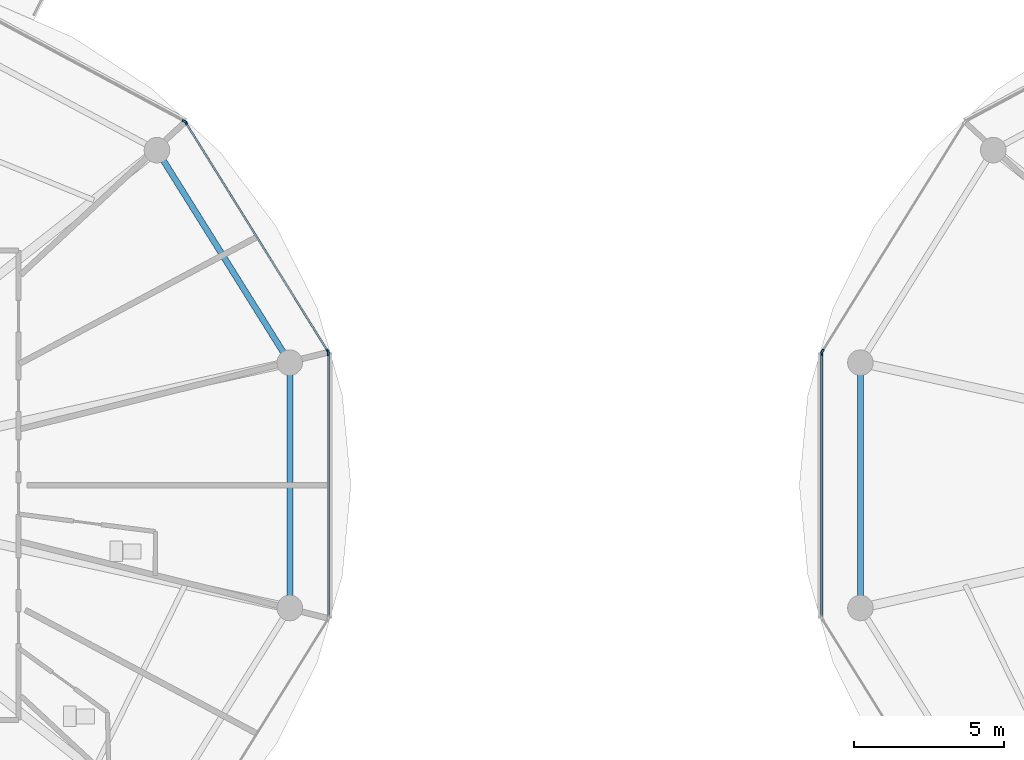
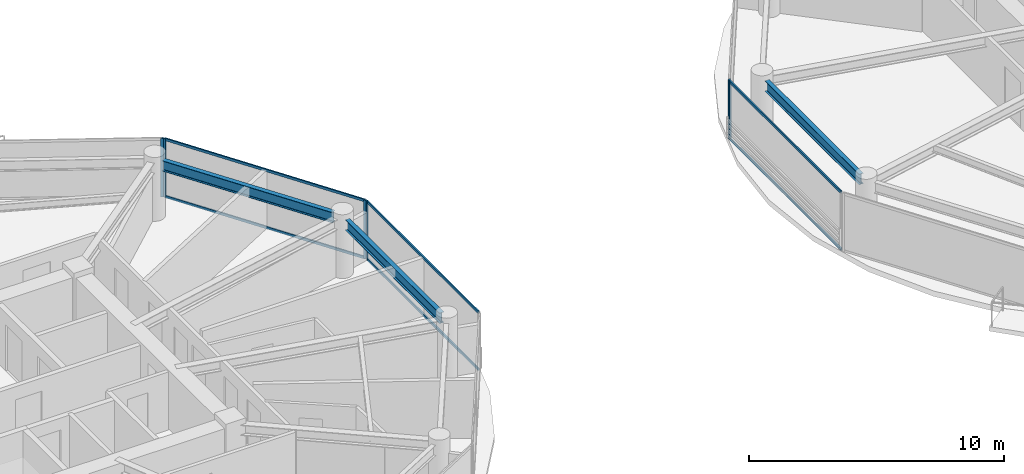
# One storey, part 7 of 25: 12 members, 3 beams, 5 elements without a shape of their own.
"""IFC4 building model written with IfcOpenShell, lengths in metres."""

from ifc_helpers import new_model, si_unit, direction, frame, origin, origin_2d, place, context, subcontext, project, spatial, rectangle, i_section, extrude, source, transform, mapped, material, layer, layer_set, material_profile, profile_set, type_object, type_shapes, element, aggregate, save


model = new_model("IFC4")

# Units and contexts
model_context = context("Model", 3, precision=1e-05, world=origin(), true_north=direction((0.0, 1.0)))
body_context = subcontext(model_context, "Body", "Model", "MODEL_VIEW")
ifc_project = project(units=[si_unit("LENGTHUNIT", "METRE"), si_unit("AREAUNIT", "SQUARE_METRE"), si_unit("VOLUMEUNIT", "CUBIC_METRE"), si_unit("PLANEANGLEUNIT", "RADIAN"), si_unit("MASSUNIT", "GRAM", prefix="KILO")], contexts=[model_context])

# Site, building, storey
site_placement = place(None, origin())
site = spatial("IfcSite", under=ifc_project, at=site_placement, CompositionType="ELEMENT")
building_placement = place(site_placement, origin())
building = spatial("IfcBuilding", under=site, at=building_placement, Name="Norrkilde Senior Care Towers", CompositionType="ELEMENT")
storey_placement = place(building_placement, frame((0.0, 0.0, 84.050048828125)))
storey = spatial("IfcBuildingStorey", under=building, at=storey_placement, Name="L25", CompositionType="ELEMENT", Elevation=84.050048828125)

# Beams
ifc_material_1 = material(Name="Steel S355", Category="steel")
ifc_material_profile_1 = material_profile(ifc_material_1, i_section(OverallWidth=0.199951171875, OverallDepth=0.5, WebThickness=0.01025390625, FlangeThickness=0.01611328125, FilletRadius=0.02099609375, at=origin_2d()), Name="IPE 500")
ifc_profile_set_1 = profile_set([ifc_material_profile_1], Name="Steel S355")
beam_type = type_object("IfcBeamType", Name="Perimeter Ring Spandrel Z2 IPE500", PredefinedType="SPANDREL", material=ifc_profile_set_1)
shared_shape_1 = source(origin(), body_context, "Body", "SweptSolid", [
    extrude(i_section(OverallWidth=0.199951171875, OverallDepth=0.5, WebThickness=0.01025390625, FlangeThickness=0.01611328125, FilletRadius=0.02099609375, at=origin_2d()), origin(), (0.0, 0.0, 1.0), 7.55615234375),
])
beam_placement = place(storey_placement, frame((-9.68505859375, 4.40283203125, 2.5400390625), z_axis=(-0.529981514254, 0.848009194849, 0.0), x_axis=(-0.848009194849, -0.529981514254, 0.0)))
element("IfcBeam", 1, at=beam_placement, inside=storey, type_object=beam_type, Name="L25 Drum W Perimeter Spandrel 01", PredefinedType="SPANDREL", context=body_context, shape_type="MappedRepresentation", body=[
    mapped(shared_shape_1, transform((0.0, 0.0, 0.0), x_axis=(1.0, 0.0, 0.0), y_axis=(0.0, 1.0, 0.0), z_axis=(0.0, 0.0, 1.0), scale=1.0)),
])
shared_shape_2 = source(origin(), body_context, "Body", "SweptSolid", [
    extrude(i_section(OverallWidth=0.199951171875, OverallDepth=0.5, WebThickness=0.01025390625, FlangeThickness=0.01611328125, FilletRadius=0.02099609375, at=origin_2d()), origin(), (0.0, 0.0, 1.0), 7.3828125),
])
type_shapes(beam_type, [shared_shape_1, shared_shape_2])
for number, where, z_axis, x_axis, name in (
    (2, (-9.48095703125, -3.69140625, 2.5400390625), (0.0, 1.0, 0.0), (-1.0, 0.0, 0.0), "L25 Drum W Perimeter Spandrel 12"),
    (3, (9.48095703125, 3.69140625, 2.5400390625), (0.0, -1.0, 0.0), (1.0, 0.0, 0.0), "L25 Drum E Perimeter Spandrel 06"),
):
    element("IfcBeam", number, at=place(storey_placement, frame(where, z_axis=z_axis, x_axis=x_axis)), inside=storey, type_object=beam_type, Name=name, PredefinedType="SPANDREL", context=body_context, shape_type="MappedRepresentation", body=[
        mapped(shared_shape_2, transform((0.0, 0.0, 0.0), x_axis=(1.0, 0.0, 0.0), y_axis=(0.0, 1.0, 0.0), z_axis=(0.0, 0.0, 1.0), scale=1.0)),
    ])

# Curtain wall, members
ifc_material_2 = material(Name="Triple Low-E Insulated Glazing", Category="glass")
ifc_layer = layer(ifc_material_2, 0.195068359375)
ifc_layer_set = layer_set([ifc_layer], Name="Triple Low-E Insulated Glazing")
curtain_wall_type = type_object("IfcCurtainWallType", Name="CW3 Zone 2 Assisted Living Curtain Wall", PredefinedType="NOTDEFINED", material=ifc_layer_set)
curtain_wall_1_placement = place(storey_placement, origin())
curtain_wall_1 = element("IfcCurtainWall", 4, at=curtain_wall_1_placement, inside=storey, type_object=curtain_wall_type, Name="L25 Drum W Curtain Wall 00", PredefinedType="NOTDEFINED")
ifc_material_3 = material(Name="Anodised Aluminium", Category="aluminium")
ifc_material_profile_2 = material_profile(ifc_material_3, rectangle(XDim=0.06494140625, YDim=0.159912109375, at=origin_2d()), Name="ALU MULL 65x160")
ifc_profile_set_2 = profile_set([ifc_material_profile_2], Name="Anodised Aluminium")
member_type_1 = type_object("IfcMemberType", Name="Curtain Wall Mullion Z1-Z2 65x160", PredefinedType="MULLION", material=ifc_profile_set_2)
shared_shape_3 = source(origin(), body_context, "Body", "SweptSolid", [
    extrude(rectangle(XDim=0.06494140625, YDim=0.159912109375, at=origin_2d()), origin(), (0.0, 0.0, 1.0), 2.7900390625),
])
type_shapes(member_type_1, [shared_shape_3])
member_1_placement = place(storey_placement, frame((-12.936279296875, 12.0498046875, 0.0), z_axis=(0.0, 0.0, 1.0), x_axis=(0.849410171862, 0.527733228002, 0.0)))
member_1 = element("IfcMember", 5, at=member_1_placement, type_object=member_type_1, Name="CW-3 mullion 1", PredefinedType="MULLION", context=body_context, shape_type="MappedRepresentation", body=[
    mapped(shared_shape_3, transform((0.0, 0.0, 0.0), x_axis=(1.0, 0.0, 0.0), y_axis=(0.0, 1.0, 0.0), z_axis=(0.0, 0.0, 1.0), scale=1.0)),
])
member_2_placement = place(storey_placement, frame((-8.21337890625, 4.4482421875, 0.0), z_axis=(0.0, 0.0, 1.0), x_axis=(0.849410171862, 0.527733228002, 0.0)))
member_2 = element("IfcMember", 6, at=member_2_placement, type_object=member_type_1, Name="CW-3 mullion 2", PredefinedType="MULLION", context=body_context, shape_type="MappedRepresentation", body=[
    mapped(shared_shape_3, transform((0.0, 0.0, 0.0), x_axis=(1.0, 0.0, 0.0), y_axis=(0.0, 1.0, 0.0), z_axis=(0.0, 0.0, 1.0), scale=1.0)),
])

# Curtain wall, member
curtain_wall_2_placement = place(storey_placement, origin())
curtain_wall_2 = element("IfcCurtainWall", 7, at=curtain_wall_2_placement, inside=storey, type_object=curtain_wall_type, Name="L25 Drum W Curtain Wall 01", PredefinedType="NOTDEFINED")
member_3_placement = place(storey_placement, frame((-12.98193359375, 12.0927734375, 0.0), z_axis=(0.0, 0.0, 1.0), x_axis=(0.472769402511, 0.881186184668, 0.0)))
member_3 = element("IfcMember", 8, at=member_3_placement, type_object=member_type_1, Name="CW-3 mullion 2", PredefinedType="MULLION", context=body_context, shape_type="MappedRepresentation", body=[
    mapped(shared_shape_3, transform((0.0, 0.0, 0.0), x_axis=(1.0, 0.0, 0.0), y_axis=(0.0, 1.0, 0.0), z_axis=(0.0, 0.0, 1.0), scale=1.0)),
])
aggregate(curtain_wall_2, [member_3])

curtain_wall_3_placement = place(storey_placement, origin())
curtain_wall_3 = element("IfcCurtainWall", 9, at=curtain_wall_3_placement, inside=storey, type_object=curtain_wall_type, Name="L25 Drum W Curtain Wall 11", PredefinedType="NOTDEFINED")
member_4_placement = place(storey_placement, frame((-8.1962890625, 4.38818359375, 0.0), z_axis=(0.0, 0.0, 1.0), x_axis=(1.0, 0.0, 0.0)))
member_4 = element("IfcMember", 10, at=member_4_placement, type_object=member_type_1, Name="CW-3 mullion 1", PredefinedType="MULLION", context=body_context, shape_type="MappedRepresentation", body=[
    mapped(shared_shape_3, transform((0.0, 0.0, 0.0), x_axis=(1.0, 0.0, 0.0), y_axis=(0.0, 1.0, 0.0), z_axis=(0.0, 0.0, 1.0), scale=1.0)),
])

curtain_wall_4_placement = place(storey_placement, origin())
curtain_wall_4 = element("IfcCurtainWall", 11, at=curtain_wall_4_placement, inside=storey, type_object=curtain_wall_type, Name="L25 Drum E Curtain Wall 04", PredefinedType="NOTDEFINED")
member_5_placement = place(storey_placement, frame((8.21337890625, 4.4482421875, 0.0), z_axis=(0.0, 0.0, 1.0), x_axis=(-0.849410171862, 0.527733228002, 0.0)))
member_5 = element("IfcMember", 12, at=member_5_placement, type_object=member_type_1, Name="CW-3 mullion 1", PredefinedType="MULLION", context=body_context, shape_type="MappedRepresentation", body=[
    mapped(shared_shape_3, transform((0.0, 0.0, 0.0), x_axis=(1.0, 0.0, 0.0), y_axis=(0.0, 1.0, 0.0), z_axis=(0.0, 0.0, 1.0), scale=1.0)),
])
aggregate(curtain_wall_4, [member_5])

curtain_wall_5_placement = place(storey_placement, origin())
curtain_wall_5 = element("IfcCurtainWall", 13, at=curtain_wall_5_placement, inside=storey, type_object=curtain_wall_type, Name="L25 Drum E Curtain Wall 05", PredefinedType="NOTDEFINED")
member_6_placement = place(storey_placement, frame((8.1962890625, 4.38818359375, 0.0), z_axis=(0.0, 0.0, 1.0), x_axis=(-1.0, 0.0, 0.0)))
member_6 = element("IfcMember", 14, at=member_6_placement, type_object=member_type_1, Name="CW-3 mullion 2", PredefinedType="MULLION", context=body_context, shape_type="MappedRepresentation", body=[
    mapped(shared_shape_3, transform((0.0, 0.0, 0.0), x_axis=(1.0, 0.0, 0.0), y_axis=(0.0, 1.0, 0.0), z_axis=(0.0, 0.0, 1.0), scale=1.0)),
])

# Member
ifc_material_profile_3 = material_profile(ifc_material_3, rectangle(XDim=0.06005859375, YDim=0.1201171875, at=origin_2d()), Name="ALU TRAN 60x120")
ifc_profile_set_3 = profile_set([ifc_material_profile_3], Name="Anodised Aluminium")
member_type_2 = type_object("IfcMemberType", Name="Curtain Wall Transom Typical 60x120", PredefinedType="USERDEFINED", material=ifc_profile_set_3)
shared_shape_4 = source(origin(), body_context, "Body", "SweptSolid", [
    extrude(rectangle(XDim=0.06005859375, YDim=0.1201171875, at=origin_2d()), origin(), (0.0, 0.0, 1.0), 8.88427734375),
])
member_7_placement = place(storey_placement, frame((-12.919189453125, 12.022216796875, 0.030029296875), z_axis=(0.527749293309, -0.849400190377, 0.0), x_axis=(0.849400190377, 0.527749293309, 0.0)))
member_7 = element("IfcMember", 15, at=member_7_placement, type_object=member_type_2, Name="CW-3 transom 1.1", ObjectType="TRANSOM", PredefinedType="USERDEFINED", context=body_context, shape_type="MappedRepresentation", body=[
    mapped(shared_shape_4, transform((0.0, 0.0, 0.0), x_axis=(1.0, 0.0, 0.0), y_axis=(0.0, 1.0, 0.0), z_axis=(0.0, 0.0, 1.0), scale=1.0)),
])

member_8_placement = place(storey_placement, frame((-12.919189453125, 12.022216796875, 2.760009765625), z_axis=(0.527749293309, -0.849400190377, 0.0), x_axis=(0.849400190377, 0.527749293309, 0.0)))
member_8 = element("IfcMember", 16, at=member_8_placement, type_object=member_type_2, Name="CW-3 transom 1.2", ObjectType="TRANSOM", PredefinedType="USERDEFINED", context=body_context, shape_type="MappedRepresentation", body=[
    mapped(shared_shape_4, transform((0.0, 0.0, 0.0), x_axis=(1.0, 0.0, 0.0), y_axis=(0.0, 1.0, 0.0), z_axis=(0.0, 0.0, 1.0), scale=1.0)),
])

aggregate(curtain_wall_1, [member_1, member_2, member_7, member_8])

shared_shape_5 = source(origin(), body_context, "Body", "SweptSolid", [
    extrude(rectangle(XDim=0.06005859375, YDim=0.1201171875, at=origin_2d()), origin(), (0.0, 0.0, 1.0), 8.71142578125),
])
type_shapes(member_type_2, [shared_shape_4, shared_shape_5])
member_9_placement = place(storey_placement, frame((-8.1962890625, 4.355712890625, 0.030029296875), z_axis=(0.0, -1.0, 0.0), x_axis=(1.0, 0.0, 0.0)))
member_9 = element("IfcMember", 17, at=member_9_placement, type_object=member_type_2, Name="CW-3 transom 1.1", ObjectType="TRANSOM", PredefinedType="USERDEFINED", context=body_context, shape_type="MappedRepresentation", body=[
    mapped(shared_shape_5, transform((0.0, 0.0, 0.0), x_axis=(1.0, 0.0, 0.0), y_axis=(0.0, 1.0, 0.0), z_axis=(0.0, 0.0, 1.0), scale=1.0)),
])

member_10_placement = place(storey_placement, frame((-8.1962890625, 4.355712890625, 2.760009765625), z_axis=(0.0, -1.0, 0.0), x_axis=(1.0, 0.0, 0.0)))
member_10 = element("IfcMember", 18, at=member_10_placement, type_object=member_type_2, Name="CW-3 transom 1.2", ObjectType="TRANSOM", PredefinedType="USERDEFINED", context=body_context, shape_type="MappedRepresentation", body=[
    mapped(shared_shape_5, transform((0.0, 0.0, 0.0), x_axis=(1.0, 0.0, 0.0), y_axis=(0.0, 1.0, 0.0), z_axis=(0.0, 0.0, 1.0), scale=1.0)),
])

aggregate(curtain_wall_3, [member_4, member_9, member_10])

member_11_placement = place(storey_placement, frame((8.1962890625, -4.355712890625, 0.030029296875), z_axis=(0.0, 1.0, 0.0), x_axis=(-1.0, 0.0, 0.0)))
member_11 = element("IfcMember", 19, at=member_11_placement, type_object=member_type_2, Name="CW-3 transom 1.1", ObjectType="TRANSOM", PredefinedType="USERDEFINED", context=body_context, shape_type="MappedRepresentation", body=[
    mapped(shared_shape_5, transform((0.0, 0.0, 0.0), x_axis=(1.0, 0.0, 0.0), y_axis=(0.0, 1.0, 0.0), z_axis=(0.0, 0.0, 1.0), scale=1.0)),
])

member_12_placement = place(storey_placement, frame((8.1962890625, -4.355712890625, 2.760009765625), z_axis=(0.0, 1.0, 0.0), x_axis=(-1.0, 0.0, 0.0)))
member_12 = element("IfcMember", 20, at=member_12_placement, type_object=member_type_2, Name="CW-3 transom 1.2", ObjectType="TRANSOM", PredefinedType="USERDEFINED", context=body_context, shape_type="MappedRepresentation", body=[
    mapped(shared_shape_5, transform((0.0, 0.0, 0.0), x_axis=(1.0, 0.0, 0.0), y_axis=(0.0, 1.0, 0.0), z_axis=(0.0, 0.0, 1.0), scale=1.0)),
])

aggregate(curtain_wall_5, [member_6, member_11, member_12])

save(model, "model.ifc")
